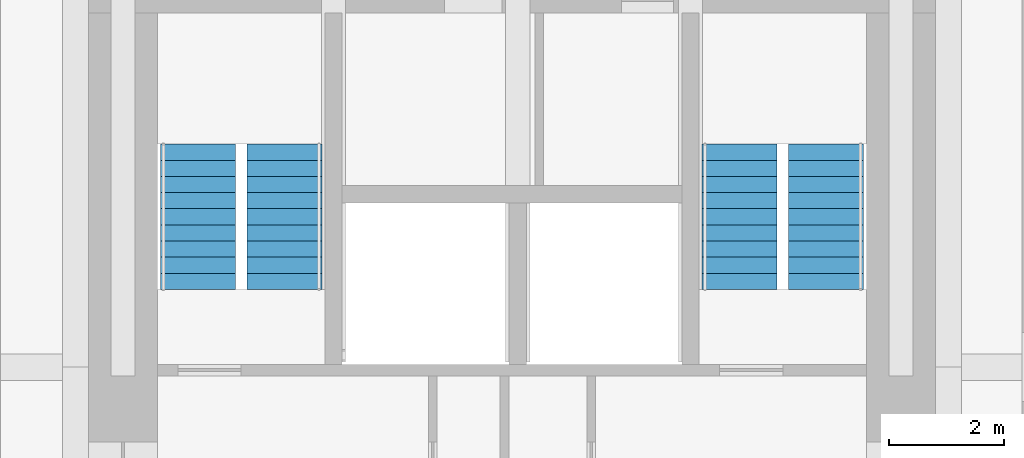
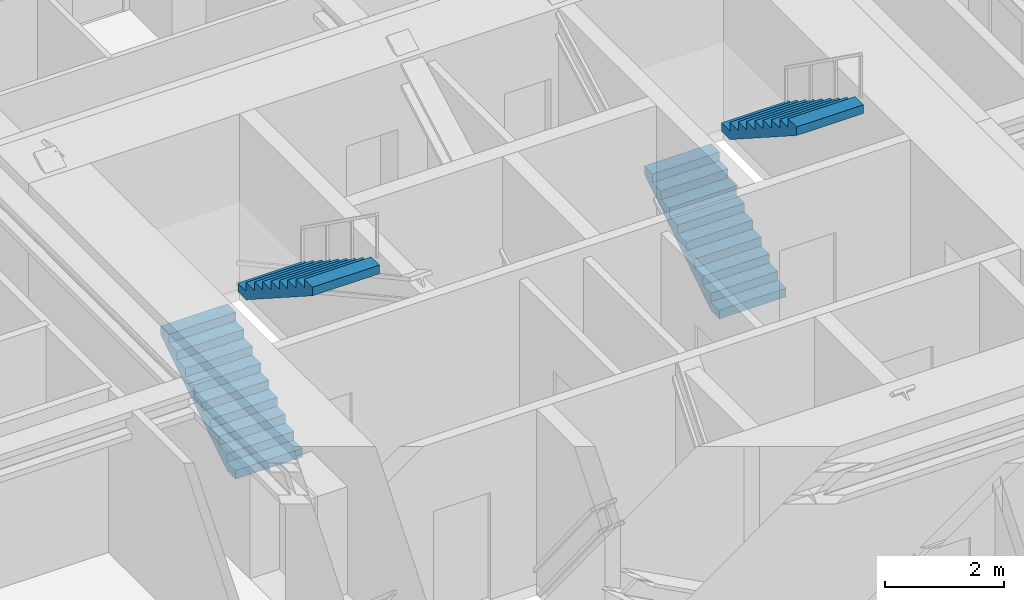
# One storey, part 12 of 13: 4 stair flights, 2 elements without a shape of their own.
"""IFC4 building model written with IfcOpenShell, lengths in metres."""

from ifc_helpers import new_model, si_unit, direction, frame, origin, place, context, subcontext, project, spatial, polyline, outline, extrude, material, type_object, element, aggregate, save


model = new_model("IFC4")

# Units and contexts
model_context = context("Model", 3, precision=1e-05, world=origin(), true_north=direction((0.0, 1.0)))
body_context = subcontext(model_context, "Body", "Model", "MODEL_VIEW")
ifc_project = project(units=[si_unit("LENGTHUNIT", "METRE"), si_unit("AREAUNIT", "SQUARE_METRE"), si_unit("VOLUMEUNIT", "CUBIC_METRE"), si_unit("PLANEANGLEUNIT", "RADIAN"), si_unit("MASSUNIT", "GRAM", prefix="KILO")], contexts=[model_context])

# Site, building, storey
site_placement = place(None, origin())
site = spatial("IfcSite", under=ifc_project, at=site_placement, CompositionType="ELEMENT")
building_placement = place(site_placement, origin())
building = spatial("IfcBuilding", under=site, at=building_placement, Name="Nyansa Garden Tower", CompositionType="ELEMENT")
storey_placement = place(building_placement, frame((0.0, 0.0, 130.5)))
storey = spatial("IfcBuildingStorey", under=building, at=storey_placement, Name="L35", CompositionType="ELEMENT", Elevation=130.5)

# Stair, stair flights
ifc_material_1 = material(Name="Precast concrete C40/50", Category="concrete")
stair_type_1 = type_object("IfcStairType", Name="Stair S1 180x280", PredefinedType="HALF_TURN_STAIR", material=ifc_material_1)
stair_1_placement = place(storey_placement, origin())
stair_1 = element("IfcStair", 1, at=stair_1_placement, inside=storey, type_object=stair_type_1, Name="Stair S1 L35", PredefinedType="HALF_TURN_STAIR")
ifc_material_2 = material(Name="Precast concrete C40/50", Category="concrete")
stair_flight_type_1 = type_object("IfcStairFlightType", Name="Stair flight S1 180x280x10", PredefinedType="STRAIGHT", material=ifc_material_2)
stair_flight_1_placement = place(storey_placement, frame((14.800048828125, 21.60009765625, 0.0), z_axis=(0.0, 0.0, 1.0), x_axis=(0.0, 1.0, 0.0)))
stair_flight_1 = element("IfcStairFlight", 2, at=stair_flight_1_placement, type_object=stair_flight_type_1, Name="S1 flight 1", NumberOfRisers=10, NumberOfTreads=9, PredefinedType="STRAIGHT", RiserHeight=0.18, TreadLength=0.28, context=body_context, shape_type="SweptSolid", body=[
    extrude(outline(polyline([(0.0, 0.0), (0.0, 0.179931640625), (0.280029296875, 0.179931640625), (0.280029296875, 0.360107421875), (0.56005859375, 0.360107421875), (0.56005859375, 0.5400390625), (0.840087890625, 0.5400390625), (0.840087890625, 0.719970703125), (1.1201171875, 0.719970703125), (1.1201171875, 0.89990234375), (1.39990234375, 0.89990234375), (1.39990234375, 1.080078125), (1.679931640625, 1.080078125), (1.679931640625, 1.260009765625), (1.9599609375, 1.260009765625), (1.9599609375, 1.43994140625), (2.239990234375, 1.43994140625), (2.239990234375, 1.6201171875), (2.52001953125, 1.6201171875), (2.52001953125, 1.800048828125), (2.52001953125, 1.44189453125), (0.277099609375, 0.0), (0.0, 0.0)])), frame((0.0, 0.64990234375, 0.0), z_axis=(0.0, -1.0, 0.0), x_axis=(1.0, 0.0, 0.0)), (0.0, 0.0, 1.0), 1.300048828125),
])
stair_flight_2_placement = place(storey_placement, frame((16.300048828125, 24.1201171875, 1.800048828125), z_axis=(0.0, 0.0, 1.0), x_axis=(0.0, -1.0, 0.0)))
stair_flight_2 = element("IfcStairFlight", 3, at=stair_flight_2_placement, type_object=stair_flight_type_1, Name="S1 flight 2", NumberOfRisers=10, NumberOfTreads=9, PredefinedType="STRAIGHT", RiserHeight=0.18, TreadLength=0.28, context=body_context, shape_type="SweptSolid", body=[
    extrude(outline(polyline([(0.0, 0.0), (0.0, 0.179931640625), (0.280029296875, 0.179931640625), (0.280029296875, 0.360107421875), (0.56005859375, 0.360107421875), (0.56005859375, 0.5400390625), (0.840087890625, 0.5400390625), (0.840087890625, 0.719970703125), (1.1201171875, 0.719970703125), (1.1201171875, 0.89990234375), (1.39990234375, 0.89990234375), (1.39990234375, 1.080078125), (1.679931640625, 1.080078125), (1.679931640625, 1.260009765625), (1.9599609375, 1.260009765625), (1.9599609375, 1.43994140625), (2.239990234375, 1.43994140625), (2.239990234375, 1.6201171875), (2.52001953125, 1.6201171875), (2.52001953125, 1.800048828125), (2.52001953125, 1.44189453125), (0.277099609375, 0.0), (0.0, 0.0)])), frame((0.0, 0.64990234375, 0.0), z_axis=(0.0, -1.0, 0.0), x_axis=(1.0, 0.0, 0.0)), (0.0, 0.0, 1.0), 1.300048828125),
])
aggregate(stair_1, [stair_flight_1, stair_flight_2])

ifc_material_3 = material(Name="Precast concrete C40/50", Category="concrete")
stair_type_2 = type_object("IfcStairType", Name="Stair S2 180x280", PredefinedType="HALF_TURN_STAIR", material=ifc_material_3)
stair_2_placement = place(storey_placement, origin())
stair_2 = element("IfcStair", 4, at=stair_2_placement, inside=storey, type_object=stair_type_2, Name="Stair S2 L35", PredefinedType="HALF_TURN_STAIR")
ifc_material_4 = material(Name="Precast concrete C40/50", Category="concrete")
stair_flight_type_2 = type_object("IfcStairFlightType", Name="Stair flight S2 180x280x10", PredefinedType="STRAIGHT", material=ifc_material_4)
stair_flight_3_placement = place(storey_placement, frame((24.199951171875, 21.60009765625, 0.0), z_axis=(0.0, 0.0, 1.0), x_axis=(0.0, 1.0, 0.0)))
stair_flight_3 = element("IfcStairFlight", 5, at=stair_flight_3_placement, type_object=stair_flight_type_2, Name="S2 flight 1", NumberOfRisers=10, NumberOfTreads=9, PredefinedType="STRAIGHT", RiserHeight=0.18, TreadLength=0.28, context=body_context, shape_type="SweptSolid", body=[
    extrude(outline(polyline([(0.0, 0.0), (0.0, 0.179931640625), (0.280029296875, 0.179931640625), (0.280029296875, 0.360107421875), (0.56005859375, 0.360107421875), (0.56005859375, 0.5400390625), (0.840087890625, 0.5400390625), (0.840087890625, 0.719970703125), (1.1201171875, 0.719970703125), (1.1201171875, 0.89990234375), (1.39990234375, 0.89990234375), (1.39990234375, 1.080078125), (1.679931640625, 1.080078125), (1.679931640625, 1.260009765625), (1.9599609375, 1.260009765625), (1.9599609375, 1.43994140625), (2.239990234375, 1.43994140625), (2.239990234375, 1.6201171875), (2.52001953125, 1.6201171875), (2.52001953125, 1.800048828125), (2.52001953125, 1.44189453125), (0.277099609375, 0.0), (0.0, 0.0)])), frame((0.0, 0.64990234375, 0.0), z_axis=(0.0, -1.0, 0.0), x_axis=(1.0, 0.0, 0.0)), (0.0, 0.0, 1.0), 1.300048828125),
])
stair_flight_4_placement = place(storey_placement, frame((25.699951171875, 24.1201171875, 1.800048828125), z_axis=(0.0, 0.0, 1.0), x_axis=(0.0, -1.0, 0.0)))
stair_flight_4 = element("IfcStairFlight", 6, at=stair_flight_4_placement, type_object=stair_flight_type_2, Name="S2 flight 2", NumberOfRisers=10, NumberOfTreads=9, PredefinedType="STRAIGHT", RiserHeight=0.18, TreadLength=0.28, context=body_context, shape_type="SweptSolid", body=[
    extrude(outline(polyline([(0.0, 0.0), (0.0, 0.179931640625), (0.280029296875, 0.179931640625), (0.280029296875, 0.360107421875), (0.56005859375, 0.360107421875), (0.56005859375, 0.5400390625), (0.840087890625, 0.5400390625), (0.840087890625, 0.719970703125), (1.1201171875, 0.719970703125), (1.1201171875, 0.89990234375), (1.39990234375, 0.89990234375), (1.39990234375, 1.080078125), (1.679931640625, 1.080078125), (1.679931640625, 1.260009765625), (1.9599609375, 1.260009765625), (1.9599609375, 1.43994140625), (2.239990234375, 1.43994140625), (2.239990234375, 1.6201171875), (2.52001953125, 1.6201171875), (2.52001953125, 1.800048828125), (2.52001953125, 1.44189453125), (0.277099609375, 0.0), (0.0, 0.0)])), frame((0.0, 0.64990234375, 0.0), z_axis=(0.0, -1.0, 0.0), x_axis=(1.0, 0.0, 0.0)), (0.0, 0.0, 1.0), 1.300048828125),
])
aggregate(stair_2, [stair_flight_3, stair_flight_4])

save(model, "model.ifc")
